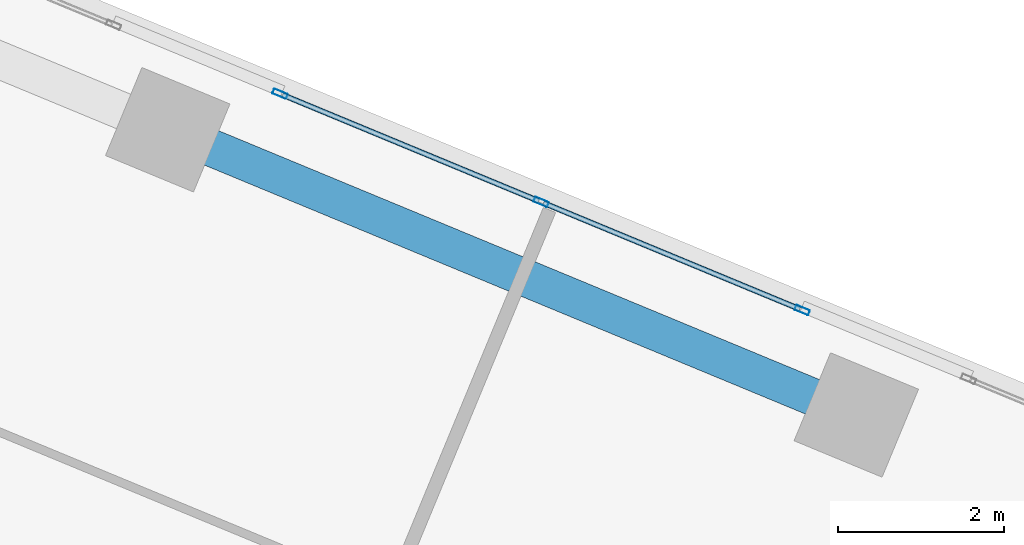
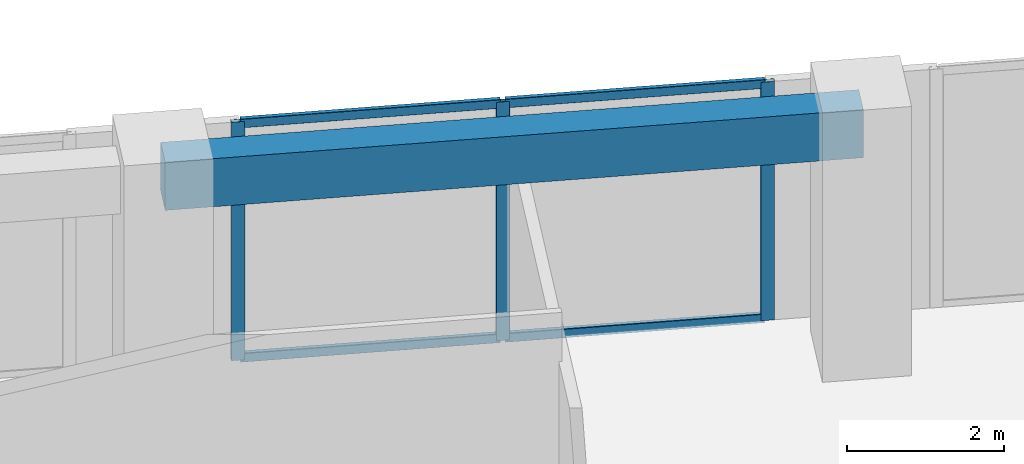
# One storey, part 17 of 24: 7 members, 1 beam, 1 element without a shape of its own.
"""IFC4 building model written with IfcOpenShell, lengths in metres."""

from ifc_helpers import new_model, si_unit, direction, frame, origin, origin_2d, place, context, subcontext, project, spatial, rectangle, hollow_rectangle, extrude, source, transform, mapped, material, material_profile, profile_set, type_object, element, aggregate, save


model = new_model("IFC4")

# Units and contexts
model_context = context("Model", 3, precision=1e-05, world=origin(), true_north=direction((0.0, 1.0)))
body_context = subcontext(model_context, "Body", "Model", "MODEL_VIEW")
ifc_project = project(units=[si_unit("LENGTHUNIT", "METRE"), si_unit("AREAUNIT", "SQUARE_METRE"), si_unit("VOLUMEUNIT", "CUBIC_METRE"), si_unit("PLANEANGLEUNIT", "RADIAN"), si_unit("MASSUNIT", "GRAM", prefix="KILO")], contexts=[model_context])

# Site, building, storey
site_placement = place(None, origin())
site = spatial("IfcSite", under=ifc_project, at=site_placement, CompositionType="ELEMENT")
building_placement = place(site_placement, origin())
building = spatial("IfcBuilding", under=site, at=building_placement, Name="Torre Montelarca", CompositionType="ELEMENT")
storey_placement = place(building_placement, frame((0.0, 0.0, 141.39990234375)))
storey = spatial("IfcBuildingStorey", under=building, at=storey_placement, Name="L31", CompositionType="ELEMENT", Elevation=141.39990234375)

# Beam
ifc_material_1 = material(Name="Concrete C55/67", Category="concrete")
ifc_material_profile_1 = material_profile(ifc_material_1, rectangle(XDim=0.449951171875, YDim=0.75, at=origin_2d()), Name="RCB450X750", Category="concrete")
ifc_profile_set_1 = profile_set([ifc_material_profile_1], Name="Concrete C55/67")
beam_type = type_object("IfcBeamType", Name="BM-SP-RC750-EXT", PredefinedType="SPANDREL", material=ifc_profile_set_1)
shared_shape_1 = source(origin(), body_context, "Body", "SweptSolid", [
    extrude(rectangle(XDim=0.449951171875, YDim=0.75, at=origin_2d()), origin(), (0.0, 0.0, 1.0), 9.0),
])
beam_placement = place(storey_placement, frame((32.37890625, 43.89208984375, 3.585205078125), z_axis=(0.923882270716, -0.382676821686, 0.0), x_axis=(0.382676821686, 0.923882270716, 0.0)))
element("IfcBeam", 1, at=beam_placement, inside=storey, type_object=beam_type, Name="L31 Grid Girder X 27.0-36.0 at Y=47.1", PredefinedType="SPANDREL", context=body_context, shape_type="MappedRepresentation", body=[
    mapped(shared_shape_1, transform((0.0, 0.0, 0.0), scale=1.0)),
])

# Curtain wall, members
ifc_material_2 = material(Name="Insulated low-E laminated glass", Category="glass")
curtain_wall_type = type_object("IfcCurtainWallType", Name="CW-SYS-Z2", PredefinedType="USERDEFINED", material=ifc_material_2)
curtain_wall_placement = place(storey_placement, origin())
curtain_wall = element("IfcCurtainWall", 2, at=curtain_wall_placement, inside=storey, type_object=curtain_wall_type, Name="L31 Curtain Wall Run CW-T3-L31-E08-B2", ObjectType="UNITISED GLAZING", PredefinedType="USERDEFINED")
ifc_material_3 = material(Name="Anodised aluminium AA 6063-T6", Category="aluminium")
ifc_material_profile_2 = material_profile(ifc_material_3, hollow_rectangle(XDim=0.06494140625, YDim=0.179931640625, WallThickness=0.00390625, InnerFilletRadius=0.00390625, OuterFilletRadius=0.008056640625, at=origin_2d()), Name="ALU65X180X4", Category="aluminium")
ifc_profile_set_2 = profile_set([ifc_material_profile_2], Name="Anodised aluminium AA 6063-T6")
member_type_1 = type_object("IfcMemberType", Name="CWM-ALU180", PredefinedType="MULLION", material=ifc_profile_set_2)
shared_shape_2 = source(origin(), body_context, "Body", "SweptSolid", [
    extrude(hollow_rectangle(XDim=0.06494140625, YDim=0.179931640625, WallThickness=0.00390625, InnerFilletRadius=0.00390625, OuterFilletRadius=0.008056640625, at=origin_2d()), origin(), (0.0, 0.0, 1.0), 3.72021484375),
])
member_1_placement = place(storey_placement, frame((40.041259765625, 41.714111328125, 0.0), z_axis=(0.0, 0.0, 1.0), x_axis=(-0.382686352134, -0.923878323098, 0.0)))
member_1 = element("IfcMember", 3, at=member_1_placement, type_object=member_type_1, Name="CW mullion 1", PredefinedType="MULLION", context=body_context, shape_type="MappedRepresentation", body=[
    mapped(shared_shape_2, transform((0.0, 0.0, 0.0), scale=1.0)),
])
member_2_placement = place(storey_placement, frame((36.888671875, 43.02001953125, 0.0), z_axis=(0.0, 0.0, 1.0), x_axis=(-0.382686352134, -0.923878323098, 0.0)))
member_2 = element("IfcMember", 4, at=member_2_placement, type_object=member_type_1, Name="CW mullion 2", PredefinedType="MULLION", context=body_context, shape_type="MappedRepresentation", body=[
    mapped(shared_shape_2, transform((0.0, 0.0, 0.0), scale=1.0)),
])
member_3_placement = place(storey_placement, frame((33.73583984375, 44.325927734375, 0.0), z_axis=(0.0, 0.0, 1.0), x_axis=(-0.382686352134, -0.923878323098, 0.0)))
member_3 = element("IfcMember", 5, at=member_3_placement, type_object=member_type_1, Name="CW mullion 3", PredefinedType="MULLION", context=body_context, shape_type="MappedRepresentation", body=[
    mapped(shared_shape_2, transform((0.0, 0.0, 0.0), scale=1.0)),
])
ifc_material_profile_3 = material_profile(ifc_material_3, hollow_rectangle(XDim=0.06494140625, YDim=0.139892578125, WallThickness=0.00390625, InnerFilletRadius=0.00390625, OuterFilletRadius=0.008056640625, at=origin_2d()), Name="ALU65X140X4", Category="aluminium")
ifc_profile_set_3 = profile_set([ifc_material_profile_3], Name="Anodised aluminium AA 6063-T6")
member_type_2 = type_object("IfcMemberType", Name="CWT-ALU140", PredefinedType="USERDEFINED", material=ifc_profile_set_3)
shared_shape_3 = source(origin(), body_context, "Body", "SweptSolid", [
    extrude(hollow_rectangle(XDim=0.06494140625, YDim=0.139892578125, WallThickness=0.00390625, InnerFilletRadius=0.00390625, OuterFilletRadius=0.008056640625, at=origin_2d()), origin(), (0.0, 0.0, 1.0), 3.34765625),
])
member_4_placement = place(storey_placement, frame((40.01123046875, 41.7265625, 0.03271484375), z_axis=(-0.923886169615, 0.382667408586, 0.0), x_axis=(-0.382667408586, -0.923886169615, 0.0)))
member_4 = element("IfcMember", 6, at=member_4_placement, type_object=member_type_2, Name="CW transom 1.1", ObjectType="TRANSOM", PredefinedType="USERDEFINED", context=body_context, shape_type="MappedRepresentation", body=[
    mapped(shared_shape_3, transform((0.0, 0.0, 0.0), scale=1.0)),
])
member_5_placement = place(storey_placement, frame((40.01123046875, 41.7265625, 3.6875), z_axis=(-0.923886169615, 0.382667408586, 0.0), x_axis=(-0.382667408586, -0.923886169615, 0.0)))
member_5 = element("IfcMember", 7, at=member_5_placement, type_object=member_type_2, Name="CW transom 1.2", ObjectType="TRANSOM", PredefinedType="USERDEFINED", context=body_context, shape_type="MappedRepresentation", body=[
    mapped(shared_shape_3, transform((0.0, 0.0, 0.0), scale=1.0)),
])
member_6_placement = place(storey_placement, frame((36.858642578125, 43.032470703125, 0.03271484375), z_axis=(-0.923886169615, 0.382667408586, 0.0), x_axis=(-0.382667408586, -0.923886169615, 0.0)))
member_6 = element("IfcMember", 8, at=member_6_placement, type_object=member_type_2, Name="CW transom 2.1", ObjectType="TRANSOM", PredefinedType="USERDEFINED", context=body_context, shape_type="MappedRepresentation", body=[
    mapped(shared_shape_3, transform((0.0, 0.0, 0.0), scale=1.0)),
])
member_7_placement = place(storey_placement, frame((36.858642578125, 43.032470703125, 3.6875), z_axis=(-0.923886169615, 0.382667408586, 0.0), x_axis=(-0.382667408586, -0.923886169615, 0.0)))
member_7 = element("IfcMember", 9, at=member_7_placement, type_object=member_type_2, Name="CW transom 2.2", ObjectType="TRANSOM", PredefinedType="USERDEFINED", context=body_context, shape_type="MappedRepresentation", body=[
    mapped(shared_shape_3, transform((0.0, 0.0, 0.0), scale=1.0)),
])
aggregate(curtain_wall, [member_1, member_2, member_3, member_4, member_5, member_6, member_7])

save(model, "model.ifc")
